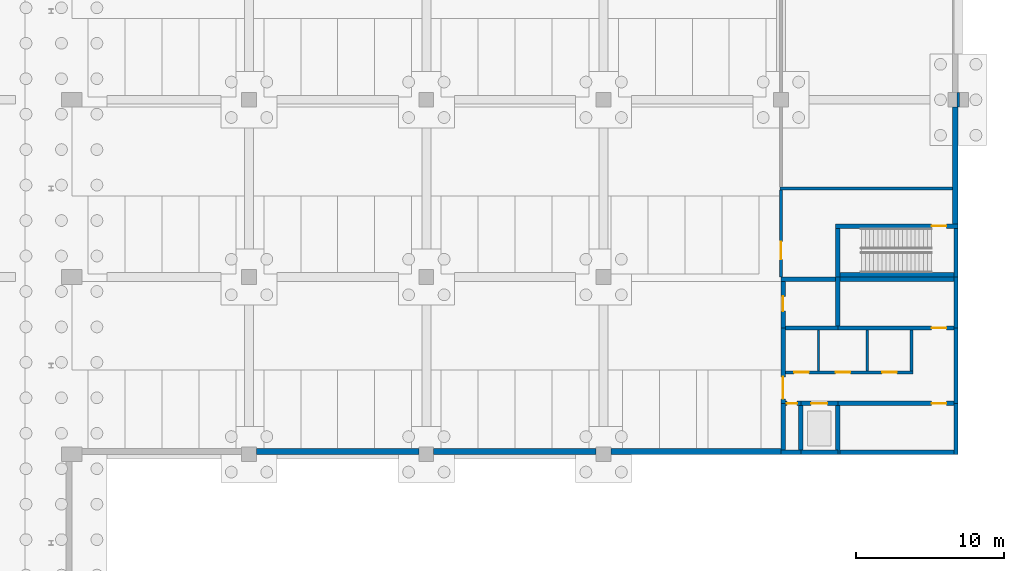
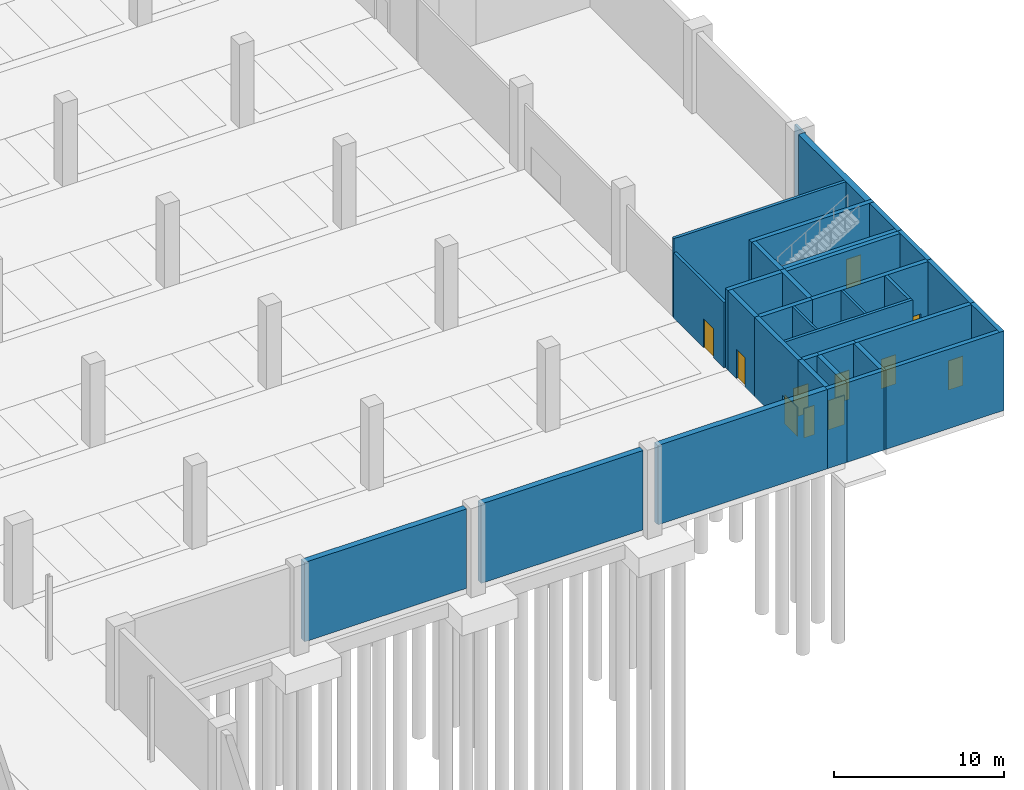
# One storey, part 18 of 34: 34 walls, 11 doors, 11 openings.
"""IFC4 building model written with IfcOpenShell, lengths in metres."""

import ifcopenshell
import ifcopenshell.guid

model = None  # the IFC model being written
_history = None  # IfcOwnerHistory: only IFC2X3 demands one
_inside = {}  # id of a spatial element -> (the spatial element, [elements in it])
_under = {}  # id of a project, library or spatial element -> (it, [spatial elements below it])
_declared = {}  # id of a project -> (the project, [libraries it declares])
_typed = {}  # id of a type object -> (the type object, [elements of that type])
_made_of = {}  # id of a material, layer set ... -> (it, [elements and type objects made of it])


def new_model(schema):
    """Start an empty IFC model of exactly this schema.

    Asked for "IFC4X3", IfcOpenShell would pick the latest addendum, in which some entities
    have other attributes; the version numbers below select the first issue.
    IFC2X3 requires an IfcOwnerHistory on every rooted entity: one is made here for all.
    """
    global model, _history
    if schema == "IFC4X3":
        model = ifcopenshell.file(schema_version=(4, 3, 0, 0))
    else:
        model = ifcopenshell.file(schema=schema)
    _inside.clear()
    _under.clear()
    _declared.clear()
    _typed.clear()
    _made_of.clear()
    _history = None
    if model.schema == "IFC2X3":
        org = make("IfcOrganization", Name="unknown")
        user = make(
            "IfcPersonAndOrganization",
            ThePerson=make("IfcPerson", FamilyName="unknown"),
            TheOrganization=org,
        )
        app = make(
            "IfcApplication",
            ApplicationDeveloper=org,
            Version="unknown",
            ApplicationFullName="unknown",
            ApplicationIdentifier="unknown",
        )
        _history = make(
            "IfcOwnerHistory",
            OwningUser=user,
            OwningApplication=app,
            ChangeAction="ADDED",
            CreationDate=0,
        )
    return model


def make(cls, **values):
    """One entity of the class cls with the attributes given. An attribute that is None is left unset."""
    return model.create_entity(
        cls, **{name: value for name, value in values.items() if value is not None}
    )


def rooted(cls, **values):
    """An entity with a GlobalId (a new one), such as an element, a storey or a relation."""
    return make(cls, GlobalId=ifcopenshell.guid.new(), OwnerHistory=_history, **values)


def si_unit(unit_type, name, prefix=None):
    """IfcSIUnit, for example si_unit("LENGTHUNIT", "METRE", prefix="MILLI")."""
    return make("IfcSIUnit", UnitType=unit_type, Prefix=prefix, Name=name)


def assignment(units):
    """IfcUnitAssignment: the units of a project."""
    return None if units is None else make("IfcUnitAssignment", Units=units)


def point(xyz):
    """IfcCartesianPoint."""
    return None if xyz is None else make("IfcCartesianPoint", Coordinates=xyz)


def direction(xyz):
    """IfcDirection."""
    return None if xyz is None else make("IfcDirection", DirectionRatios=xyz)


def frame(location, z_axis=None, x_axis=None):
    """IfcAxis2Placement3D, a coordinate frame: its origin and axes. An axis left out is left unset."""
    return make(
        "IfcAxis2Placement3D",
        Location=point(location),
        Axis=direction(z_axis),
        RefDirection=direction(x_axis),
    )


def frame_2d(location, x_axis=None):
    """IfcAxis2Placement2D, a coordinate frame in the plane: its origin and x axis."""
    return make(
        "IfcAxis2Placement2D", Location=point(location), RefDirection=direction(x_axis)
    )


def origin():
    """The frame at (0, 0, 0) with its axes left unset."""
    return frame((0.0, 0.0, 0.0))


def place(relative_to, where):
    """IfcLocalPlacement: puts the frame where relative to a parent placement (None: the world)."""
    return make(
        "IfcLocalPlacement", PlacementRelTo=relative_to, RelativePlacement=where
    )


def context(
    kind, dimensions, precision=None, world=None, true_north=None, identifier=None
):
    """IfcGeometricRepresentationContext, for example the 3D "Model" context."""
    return make(
        "IfcGeometricRepresentationContext",
        ContextIdentifier=identifier,
        ContextType=kind,
        CoordinateSpaceDimension=dimensions,
        Precision=precision,
        WorldCoordinateSystem=world,
        TrueNorth=true_north,
    )


def subcontext(parent, identifier, kind, view, scale=None):
    """IfcGeometricRepresentationSubContext, for example "Body" below "Model"."""
    return make(
        "IfcGeometricRepresentationSubContext",
        ContextIdentifier=identifier,
        ContextType=kind,
        ParentContext=parent,
        TargetScale=scale,
        TargetView=view,
    )


def project(units=None, contexts=None):
    """IfcProject with its units and contexts."""
    return rooted(
        "IfcProject",
        Name="project",
        RepresentationContexts=contexts,
        UnitsInContext=assignment(units),
    )


def spatial(cls, under=None, at=None, **own):
    """A site, building, storey or space (cls), placed at a placement, below another one or the project."""
    s = rooted(cls, ObjectPlacement=at, **own)
    if under is not None:
        _under.setdefault(under.id(), (under, []))[1].append(s)
    return s


def profile(cls, at=None, kind="AREA", **sizes):
    """A parametric profile (cls). Its sizes go by their IFC names, for example OverallWidth=200.0."""
    return make(cls, ProfileType=kind, Position=at, **sizes)


def rectangle(**sizes):
    """IfcRectangleProfileDef."""
    return profile("IfcRectangleProfileDef", **sizes)


def extrude(swept, where, along, depth):
    """IfcExtrudedAreaSolid: the profile swept, set in the frame where, extruded along a direction by depth."""
    return make(
        "IfcExtrudedAreaSolid",
        SweptArea=swept,
        Position=where,
        ExtrudedDirection=direction(along),
        Depth=depth,
    )


def shape(context_of_items, identifier, shape_type, items):
    """IfcShapeRepresentation: the items that make up one representation, for example the "Body"."""
    return make(
        "IfcShapeRepresentation",
        ContextOfItems=context_of_items,
        RepresentationIdentifier=identifier,
        RepresentationType=shape_type,
        Items=items,
    )


def material(Name=None, Category=None):
    """IfcMaterial."""
    return make("IfcMaterial", Name=Name, Category=Category)


def layer(
    of_material, thickness, ventilated=None, Name=None, Category=None, Priority=None
):
    """IfcMaterialLayer: one layer of a wall or slab, of a material (None: an air gap)."""
    return make(
        "IfcMaterialLayer",
        Material=of_material,
        LayerThickness=thickness,
        IsVentilated=ventilated,
        Name=Name,
        Category=Category,
        Priority=Priority,
    )


def layer_set(layers, Name=None):
    """IfcMaterialLayerSet."""
    return make("IfcMaterialLayerSet", MaterialLayers=layers, LayerSetName=Name)


def made_of(thing, what):
    """Note that an element or type object is made of a material, layer set ...; save() writes the relation."""
    if what is not None:
        _made_of.setdefault(what.id(), (what, []))[1].append(thing)
    return thing


def type_object(cls, material=None, **own):
    """A type object (cls), such as IfcWallType, which elements share."""
    return made_of(rooted(cls, **own), material)


def element(
    cls,
    number,
    at=None,
    inside=None,
    cuts=None,
    type_object=None,
    material=None,
    context=None,
    identifier="Body",
    shape_type=None,
    held_by="IfcProductDefinitionShape",
    body=None,
    shapes=None,
    **own,
):
    """One element of the class cls, such as IfcWall. Its Tag is "e" and its number.

    at: its placement. inside: the storey or other place that contains it. cuts: it is an
    opening in that element (IfcRelVoidsElement). A single representation is given by context,
    identifier, shape_type and body (its items); several are given by shapes. held_by: the class
    of the entity that holds the representations. save() writes the other relations.
    """
    e = rooted(cls, Tag="e%d" % number, ObjectPlacement=at, **own)
    if body is not None:
        shapes = [shape(context, identifier, shape_type, body)]
    if shapes is not None:
        e.Representation = make(held_by, Representations=shapes)
    if inside is not None:
        _inside.setdefault(inside.id(), (inside, []))[1].append(e)
    if cuts is not None:
        rooted(
            "IfcRelVoidsElement", RelatingBuildingElement=cuts, RelatedOpeningElement=e
        )
    if type_object is not None:
        _typed.setdefault(type_object.id(), (type_object, []))[1].append(e)
    return made_of(e, material)


def fill(opening, filler):
    """IfcRelFillsElement: the door or window that sits in an opening."""
    return rooted(
        "IfcRelFillsElement",
        RelatingOpeningElement=opening,
        RelatedBuildingElement=filler,
    )


def aggregate(whole, parts):
    """IfcRelAggregates: a whole, such as a stair, and the parts it consists of."""
    return rooted("IfcRelAggregates", RelatingObject=whole, RelatedObjects=parts)


def save(model, path):
    """Write the relations noted so far, then the file.

    IfcRelAggregates (storeys below a building ...), IfcRelContainedInSpatialStructure (elements
    in a storey), IfcRelDefinesByType, IfcRelAssociatesMaterial and IfcRelDeclares: one each for
    every whole, place, type object, material and project.
    """
    for whole, parts in _under.values():
        aggregate(whole, parts)
    for where, things in _inside.values():
        rooted(
            "IfcRelContainedInSpatialStructure",
            RelatedElements=things,
            RelatingStructure=where,
        )
    for kind, things in _typed.values():
        rooted("IfcRelDefinesByType", RelatedObjects=things, RelatingType=kind)
    for what, things in _made_of.values():
        rooted("IfcRelAssociatesMaterial", RelatedObjects=things, RelatingMaterial=what)
    for by, libraries in _declared.values():
        rooted("IfcRelDeclares", RelatingContext=by, RelatedDefinitions=libraries)
    model.write(path)


model = new_model("IFC4")

# Units and contexts
model_context = context("Model", 3, precision=1e-05, world=origin(), true_north=direction((0.0, 1.0)))
body_context = subcontext(model_context, "Body", "Model", "MODEL_VIEW")
ifc_project = project(units=[si_unit("LENGTHUNIT", "METRE"), si_unit("AREAUNIT", "SQUARE_METRE"), si_unit("VOLUMEUNIT", "CUBIC_METRE"), si_unit("PLANEANGLEUNIT", "RADIAN"), si_unit("MASSUNIT", "GRAM", prefix="KILO")], contexts=[model_context])

# Site, building, storey
site_placement = place(None, origin())
site = spatial("IfcSite", under=ifc_project, at=site_placement, CompositionType="ELEMENT")
building_placement = place(site_placement, origin())
building = spatial("IfcBuilding", under=site, at=building_placement, Name="Lilac Gate Convention Centre", CompositionType="ELEMENT")
storey_placement = place(building_placement, frame((0.0, 0.0, -6.0)))
storey = spatial("IfcBuildingStorey", under=building, at=storey_placement, Name="B1", CompositionType="ELEMENT", Elevation=-6.0)

# Walls
ifc_material_1 = material(Name="Concrete C35", Category="concrete")
ifc_layer_1 = layer(ifc_material_1, 0.39990234375)
ifc_layer_set_1 = layer_set([ifc_layer_1], Name="Concrete C35")
wall_type_1 = type_object("IfcWallType", Name="Basement wall 400 C35", PredefinedType="SOLIDWALL", material=ifc_layer_set_1)
for number, where, z_axis, x_axis, name in (
    (1, (42.5, 102.199951171875, 0.0), (0.0, 0.0, 1.0), (1.0, 0.0, 0.0), "SW2 basement wall 2 at 3/G"),
    (2, (54.5, 102.199951171875, 0.0), (0.0, 0.0, 1.0), (1.0, 0.0, 0.0), "SW2 basement wall 3 at 3/G"),
):
    element("IfcWall", number, at=place(storey_placement, frame(where, z_axis=z_axis, x_axis=x_axis)), inside=storey, type_object=wall_type_1, Name=name, PredefinedType="SOLIDWALL", context=body_context, shape_type="SweptSolid", body=[
        extrude(rectangle(XDim=11.0, YDim=0.39990234375, at=frame_2d((5.5, 0.0))), origin(), (0.0, 0.0, 1.0), 5.699951171875),
    ])
wall_1_placement = place(storey_placement, frame((66.5, 102.199951171875, 0.0), z_axis=(0.0, 0.0, 1.0), x_axis=(1.0, 0.0, 0.0)))
element("IfcWall", 3, at=wall_1_placement, inside=storey, type_object=wall_type_1, Name="SW2 basement wall 4 at 3/G", PredefinedType="SOLIDWALL", context=body_context, shape_type="SweptSolid", body=[
    extrude(rectangle(XDim=11.5, YDim=0.39990234375, at=frame_2d((5.75, 0.0))), origin(), (0.0, 0.0, 1.0), 5.699951171875),
])
wall_2_placement = place(storey_placement, frame((89.800048828125, 117.60009765625, 0.0), z_axis=(0.0, 0.0, 1.0), x_axis=(0.0, 1.0, 0.0)))
element("IfcWall", 4, at=wall_2_placement, inside=storey, type_object=wall_type_1, Name="SW2 basement wall 1 at 8/G", PredefinedType="SOLIDWALL", context=body_context, shape_type="SweptSolid", body=[
    extrude(rectangle(XDim=7.89990234375, YDim=0.39990234375, at=frame_2d((3.949951171875, 0.0))), origin(), (0.0, 0.0, 1.0), 5.699951171875),
])
ifc_material_2 = material(Name="Fire-rated gypsum board on steel stud", Category="steel")
ifc_layer_2 = layer(ifc_material_2, 0.14990234375)
ifc_layer_set_2 = layer_set([ifc_layer_2], Name="Fire-rated gypsum board on steel stud")
wall_type_2 = type_object("IfcWallType", Name="Partition 150 fire-rated gypsum board EI 60", PredefinedType="PARTITIONING", material=ifc_layer_set_2)
for number, where, z_axis, x_axis, name in (
    (5, (80.550048828125, 107.64990234375, 0.0), (0.0, 0.0, 1.0), (0.0, 1.0, 0.0), "Partition 150 fire-rated gypsum board EI 60"),
    (6, (83.85009765625, 107.64990234375, 0.0), (0.0, 0.0, 1.0), (0.0, 1.0, 0.0), "Partition 150 fire-rated gypsum board EI 60"),
):
    element("IfcWall", number, at=place(storey_placement, frame(where, z_axis=z_axis, x_axis=x_axis)), inside=storey, type_object=wall_type_2, Name=name, PredefinedType="PARTITIONING", context=body_context, shape_type="SweptSolid", body=[
        extrude(rectangle(XDim=2.75, YDim=0.14990234375, at=frame_2d((1.375, 0.0))), origin(), (0.0, 0.0, 1.0), 5.699951171875),
    ])
wall_3_placement = place(storey_placement, frame((90.0, 125.5, 0.0), z_axis=(0.0, 0.0, 1.0), x_axis=(0.0, 1.0, 0.0)))
element("IfcWall", 7, at=wall_3_placement, inside=storey, type_object=wall_type_2, Name="Partition 150 fire-rated gypsum board EI 60", PredefinedType="PARTITIONING", context=body_context, shape_type="SweptSolid", body=[
    extrude(rectangle(XDim=1.0, YDim=0.14990234375, at=frame_2d((0.5, 0.0))), origin(), (0.0, 0.0, 1.0), 5.699951171875),
])

# Wall, openings, doors
ifc_material_3 = material(Name="Clay brick masonry", Category="masonry")
ifc_layer_3 = layer(ifc_material_3, 0.199951171875)
ifc_layer_set_3 = layer_set([ifc_layer_3], Name="Clay brick masonry")
wall_type_3 = type_object("IfcWallType", Name="Partition 200 brick EI 60", PredefinedType="PARTITIONING", material=ifc_layer_set_3)
wall_4_placement = place(storey_placement, frame((78.300048828125, 107.550048828125, 0.0), z_axis=(0.0, 0.0, 1.0), x_axis=(1.0, 0.0, 0.0)))
wall_4 = element("IfcWall", 8, at=wall_4_placement, inside=storey, type_object=wall_type_3, Name="Partition 200 brick EI 60", PredefinedType="PARTITIONING", context=body_context, shape_type="SweptSolid", body=[
    extrude(rectangle(XDim=8.64990234375, YDim=0.199951171875, at=frame_2d((4.324951171875, 0.0))), origin(), (0.0, 0.0, 1.0), 5.699951171875),
])
opening_1_placement = place(wall_4_placement, frame((0.60009765625, 0.0, 0.0)))
opening_1 = element("IfcOpeningElement", 9, at=opening_1_placement, cuts=wall_4, Name="Opening B1-028", PredefinedType="OPENING", context=body_context, shape_type="SweptSolid", body=[
    extrude(rectangle(XDim=1.0, YDim=2.10009765625, at=frame_2d((0.5, 1.050048828125))), frame((0.0, 0.10986328125, 0.0), z_axis=(0.0, -1.0, 0.0), x_axis=(1.0, 0.0, 0.0)), (0.0, 0.0, 1.0), 0.219970703125),
])
opening_2_placement = place(wall_4_placement, frame((3.39990234375, 0.0, 0.0)))
opening_2 = element("IfcOpeningElement", 10, at=opening_2_placement, cuts=wall_4, Name="Opening B1-029", PredefinedType="OPENING", context=body_context, shape_type="SweptSolid", body=[
    extrude(rectangle(XDim=1.0, YDim=2.10009765625, at=frame_2d((0.5, 1.050048828125))), frame((0.0, 0.10986328125, 0.0), z_axis=(0.0, -1.0, 0.0), x_axis=(1.0, 0.0, 0.0)), (0.0, 0.0, 1.0), 0.219970703125),
])
opening_3_placement = place(wall_4_placement, frame((6.550048828125, 0.0, 0.0)))
opening_3 = element("IfcOpeningElement", 11, at=opening_3_placement, cuts=wall_4, Name="Opening B1-030", PredefinedType="OPENING", context=body_context, shape_type="SweptSolid", body=[
    extrude(rectangle(XDim=1.0, YDim=2.10009765625, at=frame_2d((0.5, 1.050048828125))), frame((0.0, 0.10986328125, 0.0), z_axis=(0.0, -1.0, 0.0), x_axis=(1.0, 0.0, 0.0)), (0.0, 0.0, 1.0), 0.219970703125),
])
ifc_material_4 = material(Name="Timber fire door leaf", Category="wood")
door_type_1 = type_object("IfcDoorType", Name="Door 1000 x 2100 single leaf FD30", OperationType="SINGLE_SWING_LEFT", PredefinedType="DOOR", material=ifc_material_4)
door_1_placement = place(opening_1_placement, origin())
door_1 = element("IfcDoor", 12, at=door_1_placement, inside=storey, type_object=door_type_1, Name="Accessible WC door B1-028", OperationType="SINGLE_SWING_RIGHT", OverallHeight=2.10009765625, OverallWidth=1.0, PredefinedType="DOOR", context=body_context, shape_type="SweptSolid", body=[
    extrude(rectangle(XDim=1.0, YDim=2.10009765625, at=frame_2d((0.5, 1.050048828125))), frame((0.0, 0.02490234375, 0.0), z_axis=(0.0, -1.0, 0.0), x_axis=(1.0, 0.0, 0.0)), (0.0, 0.0, 1.0), 0.050048828125),
])
fill(opening_1, door_1)
door_2_placement = place(opening_2_placement, origin())
door_2 = element("IfcDoor", 13, at=door_2_placement, inside=storey, type_object=door_type_1, Name="WC door B1-029", OperationType="SINGLE_SWING_LEFT", OverallHeight=2.10009765625, OverallWidth=1.0, PredefinedType="DOOR", context=body_context, shape_type="SweptSolid", body=[
    extrude(rectangle(XDim=1.0, YDim=2.10009765625, at=frame_2d((0.5, 1.050048828125))), frame((0.0, 0.02490234375, 0.0), z_axis=(0.0, -1.0, 0.0), x_axis=(1.0, 0.0, 0.0)), (0.0, 0.0, 1.0), 0.050048828125),
])
fill(opening_2, door_2)
door_3_placement = place(opening_3_placement, origin())
door_3 = element("IfcDoor", 14, at=door_3_placement, inside=storey, type_object=door_type_1, Name="WC door B1-030", OperationType="SINGLE_SWING_RIGHT", OverallHeight=2.10009765625, OverallWidth=1.0, PredefinedType="DOOR", context=body_context, shape_type="SweptSolid", body=[
    extrude(rectangle(XDim=1.0, YDim=2.10009765625, at=frame_2d((0.5, 1.050048828125))), frame((0.0, 0.02490234375, 0.0), z_axis=(0.0, -1.0, 0.0), x_axis=(1.0, 0.0, 0.0)), (0.0, 0.0, 1.0), 0.050048828125),
])
fill(opening_3, door_3)

# Wall
wall_5_placement = place(storey_placement, frame((77.925048828125, 120.0, 0.0), z_axis=(0.0, 0.0, 1.0), x_axis=(1.0, 0.0, 0.0)))
element("IfcWall", 15, at=wall_5_placement, inside=storey, type_object=wall_type_3, Name="Partition 200 brick EI 60", PredefinedType="PARTITIONING", context=body_context, shape_type="SweptSolid", body=[
    extrude(rectangle(XDim=11.675048828125, YDim=0.199951171875, at=frame_2d((5.83740234375, 0.0))), origin(), (0.0, 0.0, 1.0), 5.699951171875),
])

# Wall, opening, door
wall_6_placement = place(storey_placement, frame((78.0, 114.0, 0.0), z_axis=(0.0, 0.0, 1.0), x_axis=(0.0, 1.0, 0.0)))
wall_6 = element("IfcWall", 16, at=wall_6_placement, inside=storey, type_object=wall_type_3, Name="Partition 200 brick EI 60", PredefinedType="PARTITIONING", context=body_context, shape_type="SweptSolid", body=[
    extrude(rectangle(XDim=5.89990234375, YDim=0.199951171875, at=frame_2d((2.949951171875, 0.0))), origin(), (0.0, 0.0, 1.0), 4.699951171875),
])
opening_4_placement = place(wall_6_placement, frame((1.199951171875, 0.0, 0.0)))
opening_4 = element("IfcOpeningElement", 17, at=opening_4_placement, cuts=wall_6, Name="Opening B1-034", PredefinedType="OPENING", context=body_context, shape_type="SweptSolid", body=[
    extrude(rectangle(XDim=1.199951171875, YDim=2.10009765625, at=frame_2d((0.60009765625, 1.050048828125))), frame((0.0, 0.10986328125, 0.0), z_axis=(0.0, -1.0, 0.0), x_axis=(1.0, 0.0, 0.0)), (0.0, 0.0, 1.0), 0.219970703125),
])
door_type_2 = type_object("IfcDoorType", Name="Door 1200 x 2100 single leaf FD60", OperationType="SINGLE_SWING_LEFT", PredefinedType="DOOR", material=ifc_material_4)
door_4_placement = place(opening_4_placement, frame((1.199951171875, 0.0, 0.0), z_axis=(0.0, 0.0, 1.0), x_axis=(-1.0, 0.0, 0.0)))
door_4 = element("IfcDoor", 18, at=door_4_placement, inside=storey, type_object=door_type_2, Name="Lobby door B1-034", OperationType="SINGLE_SWING_LEFT", OverallHeight=2.10009765625, OverallWidth=1.199951171875, PredefinedType="DOOR", context=body_context, shape_type="SweptSolid", body=[
    extrude(rectangle(XDim=1.199951171875, YDim=2.10009765625, at=frame_2d((0.60009765625, 1.050048828125))), frame((0.0, 0.02490234375, 0.0), z_axis=(0.0, -1.0, 0.0), x_axis=(1.0, 0.0, 0.0)), (0.0, 0.0, 1.0), 0.050048828125),
])
fill(opening_4, door_4)

# Walls
wall_7_placement = place(storey_placement, frame((86.85009765625, 107.64990234375, 0.0), z_axis=(0.0, 0.0, 1.0), x_axis=(0.0, 1.0, 0.0)))
element("IfcWall", 19, at=wall_7_placement, inside=storey, type_object=wall_type_3, Name="Partition 200 brick EI 60", PredefinedType="PARTITIONING", context=body_context, shape_type="SweptSolid", body=[
    extrude(rectangle(XDim=2.75, YDim=0.199951171875, at=frame_2d((1.375, 0.0))), origin(), (0.0, 0.0, 1.0), 5.699951171875),
])
ifc_material_5 = material(Name="Concrete C40", Category="concrete")
ifc_layer_4 = layer(ifc_material_5, 0.300048828125)
ifc_layer_set_4 = layer_set([ifc_layer_4], Name="Concrete C40")
wall_type_4 = type_object("IfcWallType", Name="Shear wall 300 C40", PredefinedType="SHEAR", material=ifc_layer_set_4)
wall_8_placement = place(storey_placement, frame((90.0, 114.14990234375, 0.0), z_axis=(0.0, 0.0, 1.0), x_axis=(-1.0, 0.0, 0.0)))
element("IfcWall", 20, at=wall_8_placement, inside=storey, type_object=wall_type_4, Name="SW1 shear wall BE1 B1 1", PredefinedType="SHEAR", context=body_context, shape_type="SweptSolid", body=[
    extrude(rectangle(XDim=8.300048828125, YDim=0.300048828125, at=frame_2d((4.14990234375, 0.0))), origin(), (0.0, 0.0, 1.0), 5.699951171875),
])

# Wall, opening, door
wall_9_placement = place(storey_placement, frame((90.0, 117.449951171875, 0.0), z_axis=(0.0, 0.0, 1.0), x_axis=(-1.0, 0.0, 0.0)))
wall_9 = element("IfcWall", 21, at=wall_9_placement, inside=storey, type_object=wall_type_4, Name="SW1 shear wall BE1 B1 2", PredefinedType="SHEAR", context=body_context, shape_type="SweptSolid", body=[
    extrude(rectangle(XDim=8.300048828125, YDim=0.300048828125, at=frame_2d((4.14990234375, 0.0))), origin(), (0.0, 0.0, 1.0), 5.699951171875),
])
opening_5_placement = place(wall_9_placement, frame((0.800048828125, 0.0, 0.0)))
opening_5 = element("IfcOpeningElement", 22, at=opening_5_placement, cuts=wall_9, Name="Opening B1-035", PredefinedType="OPENING", context=body_context, shape_type="SweptSolid", body=[
    extrude(rectangle(XDim=1.0, YDim=2.10009765625, at=frame_2d((0.5, 1.050048828125))), frame((0.0, 0.159912109375, 0.0), z_axis=(0.0, -1.0, 0.0), x_axis=(1.0, 0.0, 0.0)), (0.0, 0.0, 1.0), 0.320068359375),
])
door_type_3 = type_object("IfcDoorType", Name="Door 1000 x 2100 single leaf FD60", OperationType="SINGLE_SWING_LEFT", PredefinedType="DOOR", material=ifc_material_4)
door_5_placement = place(opening_5_placement, origin())
door_5 = element("IfcDoor", 23, at=door_5_placement, inside=storey, type_object=door_type_3, Name="Stair door B1-035", OperationType="SINGLE_SWING_RIGHT", OverallHeight=2.10009765625, OverallWidth=1.0, PredefinedType="DOOR", context=body_context, shape_type="SweptSolid", body=[
    extrude(rectangle(XDim=1.0, YDim=2.10009765625, at=frame_2d((0.5, 1.050048828125))), frame((0.0, 0.02490234375, 0.0), z_axis=(0.0, -1.0, 0.0), x_axis=(1.0, 0.0, 0.0)), (0.0, 0.0, 1.0), 0.050048828125),
])
fill(opening_5, door_5)

# Walls
for number, where, z_axis, x_axis, name in (
    (24, (89.85009765625, 114.0, 0.0), (0.0, 0.0, 1.0), (0.0, 1.0, 0.0), "SW1 shear wall BE1 B1 3"),
    (25, (81.85009765625, 114.0, 0.0), (0.0, 0.0, 1.0), (0.0, 1.0, 0.0), "SW1 shear wall BE1 B1 4"),
):
    element("IfcWall", number, at=place(storey_placement, frame(where, z_axis=z_axis, x_axis=x_axis)), inside=storey, type_object=wall_type_4, Name=name, PredefinedType="SHEAR", context=body_context, shape_type="SweptSolid", body=[
        extrude(rectangle(XDim=3.300048828125, YDim=0.300048828125, at=frame_2d((1.64990234375, 0.0))), origin(), (0.0, 0.0, 1.0), 5.699951171875),
    ])
wall_10_placement = place(storey_placement, frame((90.0, 102.14990234375, 0.0), z_axis=(0.0, 0.0, 1.0), x_axis=(-1.0, 0.0, 0.0)))
element("IfcWall", 26, at=wall_10_placement, inside=storey, type_object=wall_type_4, Name="SW1 shear wall E1 B1 1", PredefinedType="SHEAR", context=body_context, shape_type="SweptSolid", body=[
    extrude(rectangle(XDim=8.14990234375, YDim=0.300048828125, at=frame_2d((4.074951171875, 0.0))), origin(), (0.0, 0.0, 1.0), 5.699951171875),
])
wall_11_placement = place(storey_placement, frame((81.85009765625, 102.14990234375, 0.0), z_axis=(0.0, 0.0, 1.0), x_axis=(-1.0, 0.0, 0.0)))
element("IfcWall", 27, at=wall_11_placement, inside=storey, type_object=wall_type_4, Name="SW1 shear wall E1 B1 2", PredefinedType="SHEAR", context=body_context, shape_type="SweptSolid", body=[
    extrude(rectangle(XDim=2.5, YDim=0.300048828125, at=frame_2d((1.25, 0.0))), origin(), (0.0, 0.0, 1.0), 5.699951171875),
])
wall_12_placement = place(storey_placement, frame((79.35009765625, 102.14990234375, 0.0), z_axis=(0.0, 0.0, 1.0), x_axis=(-1.0, 0.0, 0.0)))
element("IfcWall", 28, at=wall_12_placement, inside=storey, type_object=wall_type_4, Name="SW1 shear wall E1 B1 3", PredefinedType="SHEAR", context=body_context, shape_type="SweptSolid", body=[
    extrude(rectangle(XDim=1.35009765625, YDim=0.300048828125, at=frame_2d((0.675048828125, 0.0))), origin(), (0.0, 0.0, 1.0), 5.699951171875),
])
wall_13_placement = place(storey_placement, frame((90.0, 113.85009765625, 0.0), z_axis=(0.0, 0.0, 1.0), x_axis=(-1.0, 0.0, 0.0)))
element("IfcWall", 29, at=wall_13_placement, inside=storey, type_object=wall_type_4, Name="SW1 shear wall E1 B1 4", PredefinedType="SHEAR", context=body_context, shape_type="SweptSolid", body=[
    extrude(rectangle(XDim=8.14990234375, YDim=0.300048828125, at=frame_2d((4.074951171875, 0.0))), origin(), (0.0, 0.0, 1.0), 5.699951171875),
])
wall_14_placement = place(storey_placement, frame((81.85009765625, 113.85009765625, 0.0), z_axis=(0.0, 0.0, 1.0), x_axis=(-1.0, 0.0, 0.0)))
element("IfcWall", 30, at=wall_14_placement, inside=storey, type_object=wall_type_4, Name="SW1 shear wall E1 B1 5", PredefinedType="SHEAR", context=body_context, shape_type="SweptSolid", body=[
    extrude(rectangle(XDim=3.85009765625, YDim=0.300048828125, at=frame_2d((1.925048828125, 0.0))), origin(), (0.0, 0.0, 1.0), 5.699951171875),
])

# Wall, opening, door
wall_15_placement = place(storey_placement, frame((90.0, 105.449951171875, 0.0), z_axis=(0.0, 0.0, 1.0), x_axis=(-1.0, 0.0, 0.0)))
wall_15 = element("IfcWall", 31, at=wall_15_placement, inside=storey, type_object=wall_type_4, Name="SW1 shear wall E1 B1 6", PredefinedType="SHEAR", context=body_context, shape_type="SweptSolid", body=[
    extrude(rectangle(XDim=8.14990234375, YDim=0.300048828125, at=frame_2d((4.074951171875, 0.0))), origin(), (0.0, 0.0, 1.0), 5.699951171875),
])
opening_6_placement = place(wall_15_placement, frame((0.800048828125, 0.0, 0.0)))
opening_6 = element("IfcOpeningElement", 32, at=opening_6_placement, cuts=wall_15, Name="Opening B1-026", PredefinedType="OPENING", context=body_context, shape_type="SweptSolid", body=[
    extrude(rectangle(XDim=1.0, YDim=2.10009765625, at=frame_2d((0.5, 1.050048828125))), frame((0.0, 0.159912109375, 0.0), z_axis=(0.0, -1.0, 0.0), x_axis=(1.0, 0.0, 0.0)), (0.0, 0.0, 1.0), 0.320068359375),
])
door_6_placement = place(opening_6_placement, origin())
door_6 = element("IfcDoor", 33, at=door_6_placement, inside=storey, type_object=door_type_3, Name="Store door B1-026", OperationType="SINGLE_SWING_RIGHT", OverallHeight=2.10009765625, OverallWidth=1.0, PredefinedType="DOOR", context=body_context, shape_type="SweptSolid", body=[
    extrude(rectangle(XDim=1.0, YDim=2.10009765625, at=frame_2d((0.5, 1.050048828125))), frame((0.0, 0.02490234375, 0.0), z_axis=(0.0, -1.0, 0.0), x_axis=(1.0, 0.0, 0.0)), (0.0, 0.0, 1.0), 0.050048828125),
])
fill(opening_6, door_6)

wall_16_placement = place(storey_placement, frame((81.85009765625, 105.449951171875, 0.0), z_axis=(0.0, 0.0, 1.0), x_axis=(-1.0, 0.0, 0.0)))
wall_16 = element("IfcWall", 34, at=wall_16_placement, inside=storey, type_object=wall_type_4, Name="SW1 shear wall E1 B1 7", PredefinedType="SHEAR", context=body_context, shape_type="SweptSolid", body=[
    extrude(rectangle(XDim=2.5, YDim=0.300048828125, at=frame_2d((1.25, 0.0))), origin(), (0.0, 0.0, 1.0), 5.699951171875),
])
opening_7_placement = place(wall_16_placement, frame((0.699951171875, 0.0, 0.0)))
opening_7 = element("IfcOpeningElement", 35, at=opening_7_placement, cuts=wall_16, Name="Opening LDE1-B1", PredefinedType="OPENING", context=body_context, shape_type="SweptSolid", body=[
    extrude(rectangle(XDim=1.10009765625, YDim=2.10009765625, at=frame_2d((0.550048828125, 1.050048828125))), frame((0.0, 0.159912109375, 0.0), z_axis=(0.0, -1.0, 0.0), x_axis=(1.0, 0.0, 0.0)), (0.0, 0.0, 1.0), 0.320068359375),
])
ifc_material_6 = material(Name="Stainless steel 304", Category="steel")
door_type_4 = type_object("IfcDoorType", Name="Lift landing door 1100 x 2100", OperationType="SLIDING_TO_LEFT", PredefinedType="DOOR", material=ifc_material_6)
door_7_placement = place(opening_7_placement, origin())
door_7 = element("IfcDoor", 36, at=door_7_placement, inside=storey, type_object=door_type_4, Name="Lift landing door LDE1-B1", OperationType="SLIDING_TO_LEFT", OverallHeight=2.10009765625, OverallWidth=1.10009765625, PredefinedType="DOOR", context=body_context, shape_type="SweptSolid", body=[
    extrude(rectangle(XDim=1.10009765625, YDim=2.10009765625, at=frame_2d((0.550048828125, 1.050048828125))), frame((0.0, 0.02490234375, 0.0), z_axis=(0.0, -1.0, 0.0), x_axis=(1.0, 0.0, 0.0)), (0.0, 0.0, 1.0), 0.050048828125),
])
fill(opening_7, door_7)

wall_17_placement = place(storey_placement, frame((79.35009765625, 105.449951171875, 0.0), z_axis=(0.0, 0.0, 1.0), x_axis=(-1.0, 0.0, 0.0)))
wall_17 = element("IfcWall", 37, at=wall_17_placement, inside=storey, type_object=wall_type_4, Name="SW1 shear wall E1 B1 8", PredefinedType="SHEAR", context=body_context, shape_type="SweptSolid", body=[
    extrude(rectangle(XDim=1.050048828125, YDim=0.300048828125, at=frame_2d((0.52490234375, 0.0))), origin(), (0.0, 0.0, 1.0), 5.699951171875),
])
opening_8_placement = place(wall_17_placement, frame((0.25, 0.0, 0.0)))
opening_8 = element("IfcOpeningElement", 38, at=opening_8_placement, cuts=wall_17, Name="Opening B1-025", PredefinedType="OPENING", context=body_context, shape_type="SweptSolid", body=[
    extrude(rectangle(XDim=0.699951171875, YDim=2.10009765625, at=frame_2d((0.35009765625, 1.050048828125))), frame((0.0, 0.159912109375, 0.0), z_axis=(0.0, -1.0, 0.0), x_axis=(1.0, 0.0, 0.0)), (0.0, 0.0, 1.0), 0.320068359375),
])
door_type_5 = type_object("IfcDoorType", Name="Door 700 x 2100 single leaf FD30", OperationType="SINGLE_SWING_LEFT", PredefinedType="DOOR", material=ifc_material_4)
door_8_placement = place(opening_8_placement, origin())
door_8 = element("IfcDoor", 39, at=door_8_placement, inside=storey, type_object=door_type_5, Name="Riser access door B1-025", OperationType="SINGLE_SWING_LEFT", OverallHeight=2.10009765625, OverallWidth=0.699951171875, PredefinedType="DOOR", context=body_context, shape_type="SweptSolid", body=[
    extrude(rectangle(XDim=0.699951171875, YDim=2.10009765625, at=frame_2d((0.35009765625, 1.050048828125))), frame((0.0, 0.02490234375, 0.0), z_axis=(0.0, -1.0, 0.0), x_axis=(1.0, 0.0, 0.0)), (0.0, 0.0, 1.0), 0.050048828125),
])
fill(opening_8, door_8)

wall_18_placement = place(storey_placement, frame((90.0, 110.550048828125, 0.0), z_axis=(0.0, 0.0, 1.0), x_axis=(-1.0, 0.0, 0.0)))
wall_18 = element("IfcWall", 40, at=wall_18_placement, inside=storey, type_object=wall_type_4, Name="SW1 shear wall E1 B1 9", PredefinedType="SHEAR", context=body_context, shape_type="SweptSolid", body=[
    extrude(rectangle(XDim=8.14990234375, YDim=0.300048828125, at=frame_2d((4.074951171875, 0.0))), origin(), (0.0, 0.0, 1.0), 5.699951171875),
])
opening_9_placement = place(wall_18_placement, frame((0.800048828125, 0.0, 0.0)))
opening_9 = element("IfcOpeningElement", 41, at=opening_9_placement, cuts=wall_18, Name="Opening B1-031", PredefinedType="OPENING", context=body_context, shape_type="SweptSolid", body=[
    extrude(rectangle(XDim=1.0, YDim=2.10009765625, at=frame_2d((0.5, 1.050048828125))), frame((0.0, 0.159912109375, 0.0), z_axis=(0.0, -1.0, 0.0), x_axis=(1.0, 0.0, 0.0)), (0.0, 0.0, 1.0), 0.320068359375),
])
door_9_placement = place(opening_9_placement, frame((1.0, 0.0, 0.0), z_axis=(0.0, 0.0, 1.0), x_axis=(-1.0, 0.0, 0.0)))
door_9 = element("IfcDoor", 42, at=door_9_placement, inside=storey, type_object=door_type_3, Name="Store door B1-031", OperationType="SINGLE_SWING_LEFT", OverallHeight=2.10009765625, OverallWidth=1.0, PredefinedType="DOOR", context=body_context, shape_type="SweptSolid", body=[
    extrude(rectangle(XDim=1.0, YDim=2.10009765625, at=frame_2d((0.5, 1.050048828125))), frame((0.0, 0.02490234375, 0.0), z_axis=(0.0, -1.0, 0.0), x_axis=(1.0, 0.0, 0.0)), (0.0, 0.0, 1.0), 0.050048828125),
])
fill(opening_9, door_9)

# Walls
wall_19_placement = place(storey_placement, frame((81.85009765625, 110.550048828125, 0.0), z_axis=(0.0, 0.0, 1.0), x_axis=(-1.0, 0.0, 0.0)))
element("IfcWall", 43, at=wall_19_placement, inside=storey, type_object=wall_type_4, Name="SW1 shear wall E1 B1 10", PredefinedType="SHEAR", context=body_context, shape_type="SweptSolid", body=[
    extrude(rectangle(XDim=3.550048828125, YDim=0.300048828125, at=frame_2d((1.77490234375, 0.0))), origin(), (0.0, 0.0, 1.0), 5.699951171875),
])
wall_20_placement = place(storey_placement, frame((89.85009765625, 102.0, 0.0), z_axis=(0.0, 0.0, 1.0), x_axis=(0.0, 1.0, 0.0)))
element("IfcWall", 44, at=wall_20_placement, inside=storey, type_object=wall_type_4, Name="SW1 shear wall E1 B1 11", PredefinedType="SHEAR", context=body_context, shape_type="SweptSolid", body=[
    extrude(rectangle(XDim=3.449951171875, YDim=0.300048828125, at=frame_2d((1.72509765625, 0.0))), origin(), (0.0, 0.0, 1.0), 5.699951171875),
])
wall_21_placement = place(storey_placement, frame((89.85009765625, 105.449951171875, 0.0), z_axis=(0.0, 0.0, 1.0), x_axis=(0.0, 1.0, 0.0)))
element("IfcWall", 45, at=wall_21_placement, inside=storey, type_object=wall_type_4, Name="SW1 shear wall E1 B1 12", PredefinedType="SHEAR", context=body_context, shape_type="SweptSolid", body=[
    extrude(rectangle(XDim=5.10009765625, YDim=0.300048828125, at=frame_2d((2.550048828125, 0.0))), origin(), (0.0, 0.0, 1.0), 5.699951171875),
])
for number, where, z_axis, x_axis, name in (
    (46, (89.85009765625, 110.550048828125, 0.0), (0.0, 0.0, 1.0), (0.0, 1.0, 0.0), "SW1 shear wall E1 B1 13"),
    (47, (78.14990234375, 102.0, 0.0), (0.0, 0.0, 1.0), (0.0, 1.0, 0.0), "SW1 shear wall E1 B1 14"),
):
    element("IfcWall", number, at=place(storey_placement, frame(where, z_axis=z_axis, x_axis=x_axis)), inside=storey, type_object=wall_type_4, Name=name, PredefinedType="SHEAR", context=body_context, shape_type="SweptSolid", body=[
        extrude(rectangle(XDim=3.449951171875, YDim=0.300048828125, at=frame_2d((1.72509765625, 0.0))), origin(), (0.0, 0.0, 1.0), 5.699951171875),
    ])

# Wall, opening, door
wall_22_placement = place(storey_placement, frame((78.14990234375, 105.449951171875, 0.0), z_axis=(0.0, 0.0, 1.0), x_axis=(0.0, 1.0, 0.0)))
wall_22 = element("IfcWall", 48, at=wall_22_placement, inside=storey, type_object=wall_type_4, Name="SW1 shear wall E1 B1 15", PredefinedType="SHEAR", context=body_context, shape_type="SweptSolid", body=[
    extrude(rectangle(XDim=5.10009765625, YDim=0.300048828125, at=frame_2d((2.550048828125, 0.0))), origin(), (0.0, 0.0, 1.0), 5.699951171875),
])
opening_10_placement = place(wall_22_placement, frame((0.300048828125, 0.0, 0.0)))
opening_10 = element("IfcOpeningElement", 49, at=opening_10_placement, cuts=wall_22, Name="Opening B1-027", PredefinedType="OPENING", context=body_context, shape_type="SweptSolid", body=[
    extrude(rectangle(XDim=1.5, YDim=2.10009765625, at=frame_2d((0.75, 1.050048828125))), frame((0.0, 0.159912109375, 0.0), z_axis=(0.0, -1.0, 0.0), x_axis=(1.0, 0.0, 0.0)), (0.0, 0.0, 1.0), 0.320068359375),
])
door_type_6 = type_object("IfcDoorType", Name="Door 1500 x 2100 double leaf FD30", OperationType="DOUBLE_DOOR_SINGLE_SWING", PredefinedType="DOOR", material=ifc_material_4)
door_10_placement = place(opening_10_placement, frame((1.5, 0.0, 0.0), z_axis=(0.0, 0.0, 1.0), x_axis=(-1.0, 0.0, 0.0)))
door_10 = element("IfcDoor", 50, at=door_10_placement, inside=storey, type_object=door_type_6, Name="Lobby door B1-027", OperationType="DOUBLE_DOOR_SINGLE_SWING", OverallHeight=2.10009765625, OverallWidth=1.5, PredefinedType="DOOR", context=body_context, shape_type="SweptSolid", body=[
    extrude(rectangle(XDim=1.5, YDim=2.10009765625, at=frame_2d((0.75, 1.050048828125))), frame((0.0, 0.02490234375, 0.0), z_axis=(0.0, -1.0, 0.0), x_axis=(1.0, 0.0, 0.0)), (0.0, 0.0, 1.0), 0.050048828125),
])
fill(opening_10, door_10)

wall_23_placement = place(storey_placement, frame((78.14990234375, 110.550048828125, 0.0), z_axis=(0.0, 0.0, 1.0), x_axis=(0.0, 1.0, 0.0)))
wall_23 = element("IfcWall", 51, at=wall_23_placement, inside=storey, type_object=wall_type_4, Name="SW1 shear wall E1 B1 16", PredefinedType="SHEAR", context=body_context, shape_type="SweptSolid", body=[
    extrude(rectangle(XDim=3.14990234375, YDim=0.300048828125, at=frame_2d((1.574951171875, 0.0))), origin(), (0.0, 0.0, 1.0), 5.699951171875),
])
opening_11_placement = place(wall_23_placement, frame((1.14990234375, 0.0, 0.0)))
opening_11 = element("IfcOpeningElement", 52, at=opening_11_placement, cuts=wall_23, Name="Opening B1-033", PredefinedType="OPENING", context=body_context, shape_type="SweptSolid", body=[
    extrude(rectangle(XDim=1.0, YDim=2.10009765625, at=frame_2d((0.5, 1.050048828125))), frame((0.0, 0.159912109375, 0.0), z_axis=(0.0, -1.0, 0.0), x_axis=(1.0, 0.0, 0.0)), (0.0, 0.0, 1.0), 0.320068359375),
])
door_11_placement = place(opening_11_placement, frame((1.0, 0.0, 0.0), z_axis=(0.0, 0.0, 1.0), x_axis=(-1.0, 0.0, 0.0)))
door_11 = element("IfcDoor", 53, at=door_11_placement, inside=storey, type_object=door_type_1, Name="Riser access door B1-033", OperationType="SINGLE_SWING_LEFT", OverallHeight=2.10009765625, OverallWidth=1.0, PredefinedType="DOOR", context=body_context, shape_type="SweptSolid", body=[
    extrude(rectangle(XDim=1.0, YDim=2.10009765625, at=frame_2d((0.5, 1.050048828125))), frame((0.0, 0.02490234375, 0.0), z_axis=(0.0, -1.0, 0.0), x_axis=(1.0, 0.0, 0.0)), (0.0, 0.0, 1.0), 0.050048828125),
])
fill(opening_11, door_11)

# Walls
for number, where, z_axis, x_axis, name in (
    (54, (81.85009765625, 102.0, 0.0), (0.0, 0.0, 1.0), (0.0, 1.0, 0.0), "SW1 shear wall E1 B1 17"),
    (55, (81.85009765625, 110.699951171875, 0.0), (0.0, 0.0, 1.0), (0.0, 1.0, 0.0), "SW1 shear wall E1 B1 18"),
    (56, (79.35009765625, 102.0, 0.0), (0.0, 0.0, 1.0), (0.0, 1.0, 0.0), "SW1 shear wall E1 B1 19"),
):
    element("IfcWall", number, at=place(storey_placement, frame(where, z_axis=z_axis, x_axis=x_axis)), inside=storey, type_object=wall_type_4, Name=name, PredefinedType="SHEAR", context=body_context, shape_type="SweptSolid", body=[
        extrude(rectangle(XDim=3.300048828125, YDim=0.300048828125, at=frame_2d((1.64990234375, 0.0))), origin(), (0.0, 0.0, 1.0), 5.699951171875),
    ])

save(model, "model.ifc")
